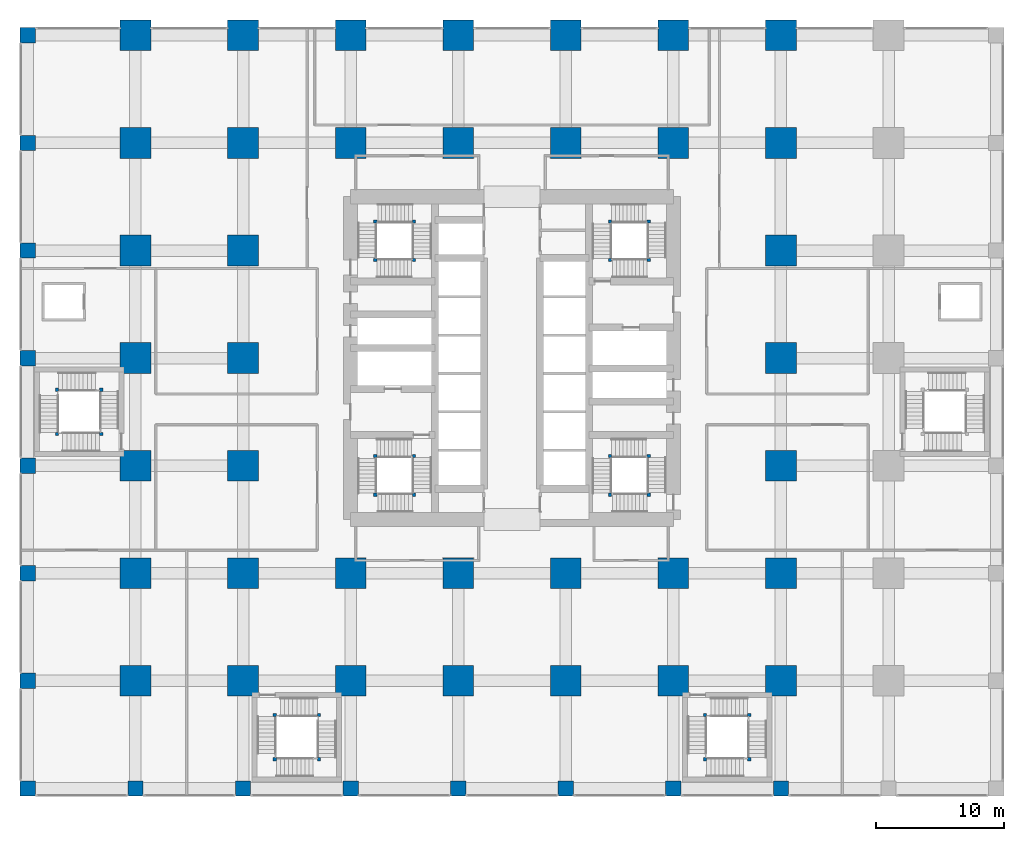
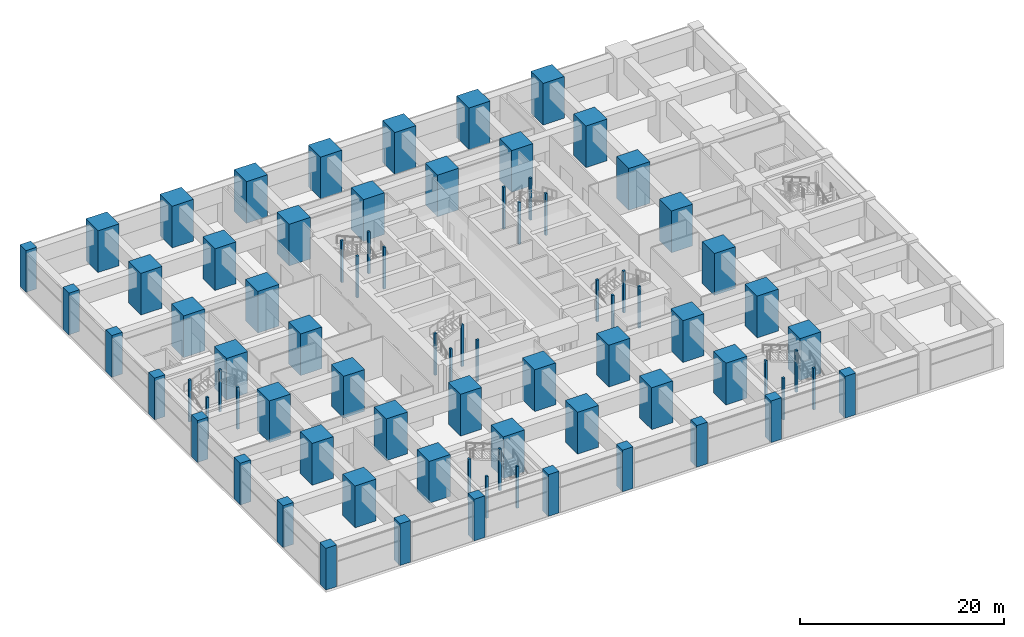
# One storey, part 1 of 49: 80 columns.
"""IFC4 building model written with IfcOpenShell, lengths in metres."""

from ifc_helpers import new_model, si_unit, direction, frame, origin, origin_2d, place, context, subcontext, project, spatial, rectangle, extrude, material, material_profile, profile_set, type_object, element, save


model = new_model("IFC4")

# Units and contexts
model_context = context("Model", 3, precision=1e-05, world=origin(), true_north=direction((0.0, 1.0)))
body_context = subcontext(model_context, "Body", "Model", "MODEL_VIEW")
ifc_project = project(units=[si_unit("LENGTHUNIT", "METRE"), si_unit("AREAUNIT", "SQUARE_METRE"), si_unit("VOLUMEUNIT", "CUBIC_METRE"), si_unit("PLANEANGLEUNIT", "RADIAN"), si_unit("MASSUNIT", "GRAM", prefix="KILO")], contexts=[model_context])

# Site, building, storey
site_placement = place(None, origin())
site = spatial("IfcSite", under=ifc_project, at=site_placement, CompositionType="ELEMENT")
building_placement = place(site_placement, origin())
building = spatial("IfcBuilding", under=site, at=building_placement, Name="Rekha Terrace Tower", CompositionType="ELEMENT")
storey_placement = place(building_placement, frame((0.0, 0.0, 10.39990234375)))
storey = spatial("IfcBuildingStorey", under=building, at=storey_placement, Name="L02", CompositionType="ELEMENT", Elevation=10.39990234375)

# Columns
ifc_material_1 = material(Name="Concrete M70", Category="concrete")
ifc_material_profile_1 = material_profile(ifc_material_1, rectangle(XDim=2.39990234375, YDim=2.39990234375, at=origin_2d()), Name="RC 2400x2400")
ifc_profile_set_1 = profile_set([ifc_material_profile_1], Name="Concrete M70")
column_type_1 = type_object("IfcColumnType", Name="C1 2400x2400 column", PredefinedType="COLUMN", material=ifc_profile_set_1)
for number, where, z_axis, x_axis, name in (
    (1, (8.39990234375, 8.39990234375, 0.0), (0.0, 0.0, 1.0), (1.0, 0.0, 0.0), "Column C1 2/B L02"),
    (2, (8.39990234375, 16.800048828125, 0.0), (0.0, 0.0, 1.0), (1.0, 0.0, 0.0), "Column C1 2/C L02"),
    (3, (8.39990234375, 25.199951171875, 0.0), (0.0, 0.0, 1.0), (1.0, 0.0, 0.0), "Column C1 2/D L02"),
    (4, (8.39990234375, 33.60009765625, 0.0), (0.0, 0.0, 1.0), (1.0, 0.0, 0.0), "Column C1 2/E L02"),
    (5, (8.39990234375, 42.0, 0.0), (0.0, 0.0, 1.0), (1.0, 0.0, 0.0), "Column C1 2/F L02"),
    (6, (8.39990234375, 50.39990234375, 0.0), (0.0, 0.0, 1.0), (1.0, 0.0, 0.0), "Column C1 2/G L02"),
    (7, (8.39990234375, 58.800048828125, 0.0), (0.0, 0.0, 1.0), (1.0, 0.0, 0.0), "Column C1 2/H L02"),
    (8, (16.800048828125, 8.39990234375, 0.0), (0.0, 0.0, 1.0), (1.0, 0.0, 0.0), "Column C1 3/B L02"),
    (9, (16.800048828125, 16.800048828125, 0.0), (0.0, 0.0, 1.0), (1.0, 0.0, 0.0), "Column C1 3/C L02"),
    (10, (16.800048828125, 25.199951171875, 0.0), (0.0, 0.0, 1.0), (1.0, 0.0, 0.0), "Column C1 3/D L02"),
    (11, (16.800048828125, 33.60009765625, 0.0), (0.0, 0.0, 1.0), (1.0, 0.0, 0.0), "Column C1 3/E L02"),
    (12, (16.800048828125, 42.0, 0.0), (0.0, 0.0, 1.0), (1.0, 0.0, 0.0), "Column C1 3/F L02"),
    (13, (16.800048828125, 50.39990234375, 0.0), (0.0, 0.0, 1.0), (1.0, 0.0, 0.0), "Column C1 3/G L02"),
    (14, (16.800048828125, 58.800048828125, 0.0), (0.0, 0.0, 1.0), (1.0, 0.0, 0.0), "Column C1 3/H L02"),
    (15, (25.199951171875, 8.39990234375, 0.0), (0.0, 0.0, 1.0), (1.0, 0.0, 0.0), "Column C1 4/B L02"),
    (16, (25.199951171875, 16.800048828125, 0.0), (0.0, 0.0, 1.0), (1.0, 0.0, 0.0), "Column C1 4/C L02"),
    (17, (25.199951171875, 50.39990234375, 0.0), (0.0, 0.0, 1.0), (1.0, 0.0, 0.0), "Column C1 4/G L02"),
    (18, (25.199951171875, 58.800048828125, 0.0), (0.0, 0.0, 1.0), (1.0, 0.0, 0.0), "Column C1 4/H L02"),
    (19, (33.60009765625, 8.39990234375, 0.0), (0.0, 0.0, 1.0), (1.0, 0.0, 0.0), "Column C1 5/B L02"),
    (20, (33.60009765625, 16.800048828125, 0.0), (0.0, 0.0, 1.0), (1.0, 0.0, 0.0), "Column C1 5/C L02"),
    (21, (33.60009765625, 50.39990234375, 0.0), (0.0, 0.0, 1.0), (1.0, 0.0, 0.0), "Column C1 5/G L02"),
    (22, (33.60009765625, 58.800048828125, 0.0), (0.0, 0.0, 1.0), (1.0, 0.0, 0.0), "Column C1 5/H L02"),
    (23, (42.0, 8.39990234375, 0.0), (0.0, 0.0, 1.0), (1.0, 0.0, 0.0), "Column C1 6/B L02"),
    (24, (42.0, 16.800048828125, 0.0), (0.0, 0.0, 1.0), (1.0, 0.0, 0.0), "Column C1 6/C L02"),
    (25, (42.0, 50.39990234375, 0.0), (0.0, 0.0, 1.0), (1.0, 0.0, 0.0), "Column C1 6/G L02"),
    (26, (42.0, 58.800048828125, 0.0), (0.0, 0.0, 1.0), (1.0, 0.0, 0.0), "Column C1 6/H L02"),
    (27, (50.39990234375, 8.39990234375, 0.0), (0.0, 0.0, 1.0), (1.0, 0.0, 0.0), "Column C1 7/B L02"),
    (28, (50.39990234375, 16.800048828125, 0.0), (0.0, 0.0, 1.0), (1.0, 0.0, 0.0), "Column C1 7/C L02"),
    (29, (50.39990234375, 50.39990234375, 0.0), (0.0, 0.0, 1.0), (1.0, 0.0, 0.0), "Column C1 7/G L02"),
    (30, (50.39990234375, 58.800048828125, 0.0), (0.0, 0.0, 1.0), (1.0, 0.0, 0.0), "Column C1 7/H L02"),
    (31, (58.800048828125, 8.39990234375, 0.0), (0.0, 0.0, 1.0), (1.0, 0.0, 0.0), "Column C1 8/B L02"),
    (32, (58.800048828125, 16.800048828125, 0.0), (0.0, 0.0, 1.0), (1.0, 0.0, 0.0), "Column C1 8/C L02"),
    (33, (58.800048828125, 25.199951171875, 0.0), (0.0, 0.0, 1.0), (1.0, 0.0, 0.0), "Column C1 8/D L02"),
    (34, (58.800048828125, 33.60009765625, 0.0), (0.0, 0.0, 1.0), (1.0, 0.0, 0.0), "Column C1 8/E L02"),
    (35, (58.800048828125, 42.0, 0.0), (0.0, 0.0, 1.0), (1.0, 0.0, 0.0), "Column C1 8/F L02"),
    (36, (58.800048828125, 50.39990234375, 0.0), (0.0, 0.0, 1.0), (1.0, 0.0, 0.0), "Column C1 8/G L02"),
    (37, (58.800048828125, 58.800048828125, 0.0), (0.0, 0.0, 1.0), (1.0, 0.0, 0.0), "Column C1 8/H L02"),
):
    element("IfcColumn", number, at=place(storey_placement, frame(where, z_axis=z_axis, x_axis=x_axis)), inside=storey, type_object=column_type_1, Name=name, PredefinedType="COLUMN", context=body_context, shape_type="SweptSolid", body=[
        extrude(rectangle(XDim=2.39990234375, YDim=2.39990234375, at=origin_2d()), origin(), (0.0, 0.0, 1.0), 5.0),
    ])
ifc_material_2 = material(Name="Concrete M60", Category="concrete")
ifc_material_profile_2 = material_profile(ifc_material_2, rectangle(XDim=1.199951171875, YDim=1.199951171875, at=origin_2d()), Name="RC 1200x1200")
ifc_profile_set_2 = profile_set([ifc_material_profile_2], Name="Concrete M60")
column_type_2 = type_object("IfcColumnType", Name="C6 1200x1200 podium column", PredefinedType="COLUMN", material=ifc_profile_set_2)
for number, where, z_axis, x_axis, name in (
    (38, (0.0, 0.0, 0.0), (0.0, 0.0, 1.0), (1.0, 0.0, 0.0), "Column C6 1/A L02"),
    (39, (0.0, 8.39990234375, 0.0), (0.0, 0.0, 1.0), (1.0, 0.0, 0.0), "Column C6 1/B L02"),
    (40, (0.0, 16.800048828125, 0.0), (0.0, 0.0, 1.0), (1.0, 0.0, 0.0), "Column C6 1/C L02"),
    (41, (0.0, 25.199951171875, 0.0), (0.0, 0.0, 1.0), (1.0, 0.0, 0.0), "Column C6 1/D L02"),
    (42, (0.0, 33.60009765625, 0.0), (0.0, 0.0, 1.0), (1.0, 0.0, 0.0), "Column C6 1/E L02"),
    (43, (0.0, 42.0, 0.0), (0.0, 0.0, 1.0), (1.0, 0.0, 0.0), "Column C6 1/F L02"),
    (44, (0.0, 50.39990234375, 0.0), (0.0, 0.0, 1.0), (1.0, 0.0, 0.0), "Column C6 1/G L02"),
    (45, (0.0, 58.800048828125, 0.0), (0.0, 0.0, 1.0), (1.0, 0.0, 0.0), "Column C6 1/H L02"),
    (46, (8.39990234375, 0.0, 0.0), (0.0, 0.0, 1.0), (1.0, 0.0, 0.0), "Column C6 2/A L02"),
    (47, (16.800048828125, 0.0, 0.0), (0.0, 0.0, 1.0), (1.0, 0.0, 0.0), "Column C6 3/A L02"),
    (48, (25.199951171875, 0.0, 0.0), (0.0, 0.0, 1.0), (1.0, 0.0, 0.0), "Column C6 4/A L02"),
    (49, (33.60009765625, 0.0, 0.0), (0.0, 0.0, 1.0), (1.0, 0.0, 0.0), "Column C6 5/A L02"),
    (50, (42.0, 0.0, 0.0), (0.0, 0.0, 1.0), (1.0, 0.0, 0.0), "Column C6 6/A L02"),
    (51, (50.39990234375, 0.0, 0.0), (0.0, 0.0, 1.0), (1.0, 0.0, 0.0), "Column C6 7/A L02"),
    (52, (58.800048828125, 0.0, 0.0), (0.0, 0.0, 1.0), (1.0, 0.0, 0.0), "Column C6 8/A L02"),
):
    element("IfcColumn", number, at=place(storey_placement, frame(where, z_axis=z_axis, x_axis=x_axis)), inside=storey, type_object=column_type_2, Name=name, PredefinedType="COLUMN", context=body_context, shape_type="SweptSolid", body=[
        extrude(rectangle(XDim=1.199951171875, YDim=1.199951171875, at=origin_2d()), origin(), (0.0, 0.0, 1.0), 5.0),
    ])
ifc_material_profile_3 = material_profile(ifc_material_2, rectangle(XDim=0.25, YDim=0.25, at=origin_2d()), Name="RC 250x250")
ifc_profile_set_3 = profile_set([ifc_material_profile_3], Name="Concrete M60")
column_type_3 = type_object("IfcColumnType", Name="NP1 250x250 stair newel post", PredefinedType="COLUMN", material=ifc_profile_set_3)
for number, where, z_axis, x_axis, name in (
    (53, (5.72509765625, 27.675048828125, 0.0), (0.0, 0.0, 1.0), (1.0, 0.0, 0.0), "Stair newel post NP1"),
    (54, (2.27490234375, 27.675048828125, 0.0), (0.0, 0.0, 1.0), (1.0, 0.0, 0.0), "Stair newel post NP1"),
    (55, (2.27490234375, 31.125, 0.0), (0.0, 0.0, 1.0), (1.0, 0.0, 0.0), "Stair newel post NP1"),
    (56, (5.72509765625, 31.125, 0.0), (0.0, 0.0, 1.0), (1.0, 0.0, 0.0), "Stair newel post NP1"),
    (57, (19.27490234375, 5.72509765625, 0.0), (0.0, 0.0, 1.0), (1.0, 0.0, 0.0), "Stair newel post NP1"),
    (58, (19.27490234375, 2.27490234375, 0.0), (0.0, 0.0, 1.0), (1.0, 0.0, 0.0), "Stair newel post NP1"),
    (59, (22.72509765625, 2.27490234375, 0.0), (0.0, 0.0, 1.0), (1.0, 0.0, 0.0), "Stair newel post NP1"),
    (60, (22.72509765625, 5.72509765625, 0.0), (0.0, 0.0, 1.0), (1.0, 0.0, 0.0), "Stair newel post NP1"),
    (61, (52.875, 5.72509765625, 0.0), (0.0, 0.0, 1.0), (1.0, 0.0, 0.0), "Stair newel post NP1"),
    (62, (52.875, 2.27490234375, 0.0), (0.0, 0.0, 1.0), (1.0, 0.0, 0.0), "Stair newel post NP1"),
    (63, (56.324951171875, 2.27490234375, 0.0), (0.0, 0.0, 1.0), (1.0, 0.0, 0.0), "Stair newel post NP1"),
    (64, (56.324951171875, 5.72509765625, 0.0), (0.0, 0.0, 1.0), (1.0, 0.0, 0.0), "Stair newel post NP1"),
    (65, (30.14990234375, 25.949951171875, 0.0), (0.0, 0.0, 1.0), (1.0, 0.0, 0.0), "Stair newel post NP1"),
    (66, (30.14990234375, 22.925048828125, 0.0), (0.0, 0.0, 1.0), (1.0, 0.0, 0.0), "Stair newel post NP1"),
    (67, (27.125, 22.925048828125, 0.0), (0.0, 0.0, 1.0), (1.0, 0.0, 0.0), "Stair newel post NP1"),
    (68, (27.125, 25.949951171875, 0.0), (0.0, 0.0, 1.0), (1.0, 0.0, 0.0), "Stair newel post NP1"),
    (69, (45.449951171875, 41.25, 0.0), (0.0, 0.0, 1.0), (1.0, 0.0, 0.0), "Stair newel post NP1"),
    (70, (45.449951171875, 44.27490234375, 0.0), (0.0, 0.0, 1.0), (1.0, 0.0, 0.0), "Stair newel post NP1"),
    (71, (48.47509765625, 44.27490234375, 0.0), (0.0, 0.0, 1.0), (1.0, 0.0, 0.0), "Stair newel post NP1"),
    (72, (48.47509765625, 41.25, 0.0), (0.0, 0.0, 1.0), (1.0, 0.0, 0.0), "Stair newel post NP1"),
    (73, (48.47509765625, 22.925048828125, 0.0), (0.0, 0.0, 1.0), (1.0, 0.0, 0.0), "Stair newel post NP1"),
    (74, (45.449951171875, 22.925048828125, 0.0), (0.0, 0.0, 1.0), (1.0, 0.0, 0.0), "Stair newel post NP1"),
    (75, (45.449951171875, 25.949951171875, 0.0), (0.0, 0.0, 1.0), (1.0, 0.0, 0.0), "Stair newel post NP1"),
    (76, (48.47509765625, 25.949951171875, 0.0), (0.0, 0.0, 1.0), (1.0, 0.0, 0.0), "Stair newel post NP1"),
    (77, (27.125, 41.25, 0.0), (0.0, 0.0, 1.0), (1.0, 0.0, 0.0), "Stair newel post NP1"),
    (78, (30.14990234375, 41.25, 0.0), (0.0, 0.0, 1.0), (1.0, 0.0, 0.0), "Stair newel post NP1"),
    (79, (30.14990234375, 44.27490234375, 0.0), (0.0, 0.0, 1.0), (1.0, 0.0, 0.0), "Stair newel post NP1"),
    (80, (27.125, 44.27490234375, 0.0), (0.0, 0.0, 1.0), (1.0, 0.0, 0.0), "Stair newel post NP1"),
):
    element("IfcColumn", number, at=place(storey_placement, frame(where, z_axis=z_axis, x_axis=x_axis)), inside=storey, type_object=column_type_3, Name=name, PredefinedType="COLUMN", context=body_context, shape_type="SweptSolid", body=[
        extrude(rectangle(XDim=0.25, YDim=0.25, at=origin_2d()), origin(), (0.0, 0.0, 1.0), 5.0),
    ])

save(model, "model.ifc")
